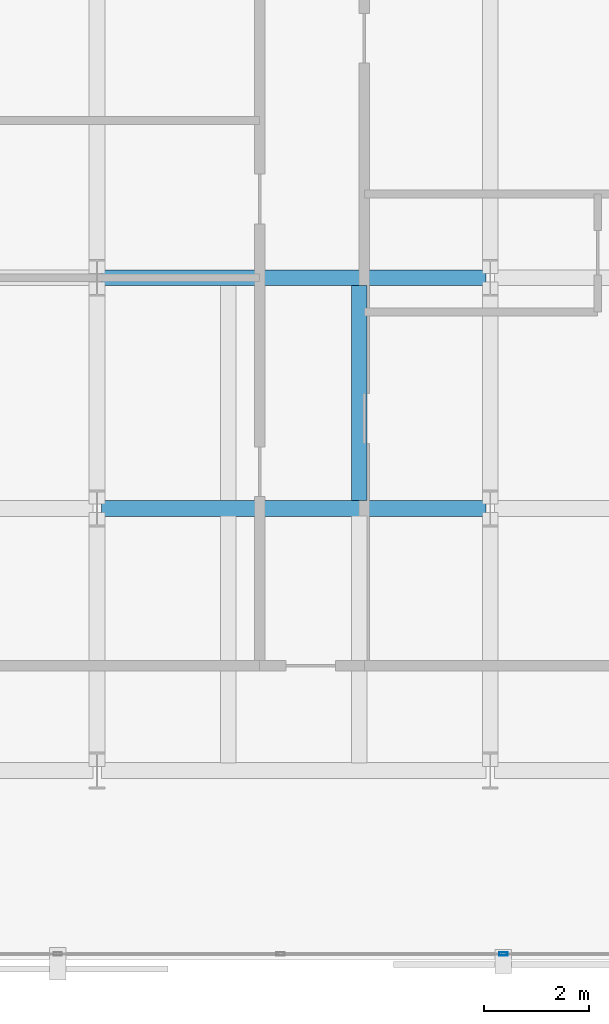
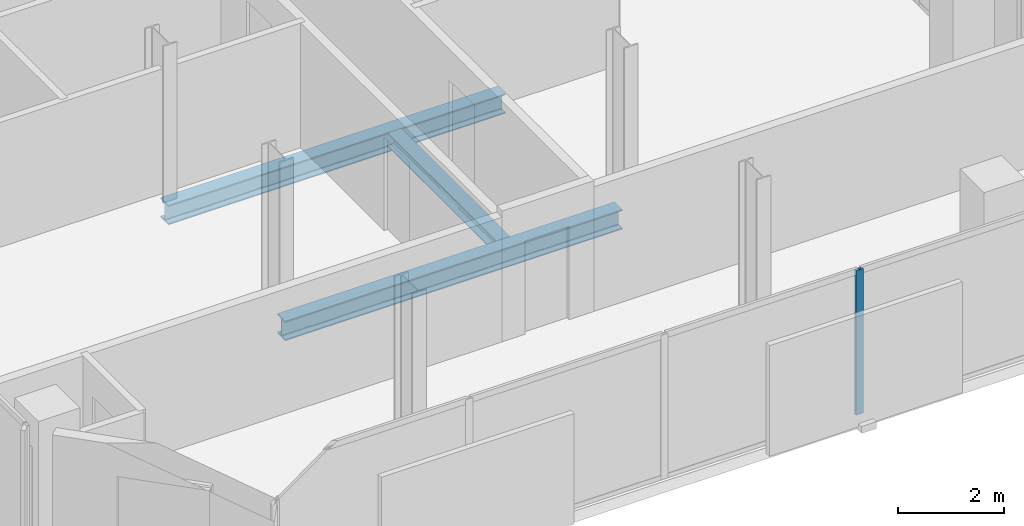
# One storey, part 6 of 34: 3 beams, 1 member, 1 element without a shape of its own.
"""IFC4 building model written with IfcOpenShell, lengths in metres."""

from ifc_helpers import new_model, si_unit, direction, frame, origin, origin_2d, place, context, subcontext, project, spatial, hollow_rectangle, i_section, extrude, material, layer, layer_set, material_profile, profile_set, type_object, element, aggregate, save


model = new_model("IFC4")

# Units and contexts
model_context = context("Model", 3, precision=1e-05, world=origin(), true_north=direction((0.0, 1.0)))
body_context = subcontext(model_context, "Body", "Model", "MODEL_VIEW")
ifc_project = project(units=[si_unit("LENGTHUNIT", "METRE"), si_unit("AREAUNIT", "SQUARE_METRE"), si_unit("VOLUMEUNIT", "CUBIC_METRE"), si_unit("PLANEANGLEUNIT", "RADIAN"), si_unit("MASSUNIT", "GRAM", prefix="KILO")], contexts=[model_context])

# Site, building, storey
site_placement = place(None, origin())
site = spatial("IfcSite", under=ifc_project, at=site_placement, CompositionType="ELEMENT")
building_placement = place(site_placement, origin())
building = spatial("IfcBuilding", under=site, at=building_placement, Name="Catumbela Crestline Tower", CompositionType="ELEMENT")
storey_placement = place(building_placement, frame((0.0, 0.0, 115.2)))
storey = spatial("IfcBuildingStorey", under=building, at=storey_placement, Name="L29", CompositionType="ELEMENT", Elevation=115.2)

# Beams
ifc_material_1 = material(Name="Structural steel S355J2", Category="steel")
ifc_material_profile_1 = material_profile(ifc_material_1, i_section(OverallWidth=0.3, OverallDepth=0.45, WebThickness=0.014, FlangeThickness=0.026, FilletRadius=0.027, at=origin_2d()), Name="HEB 450")
ifc_profile_set_1 = profile_set([ifc_material_profile_1], Name="Structural steel S355J2")
beam_type_1 = type_object("IfcBeamType", Name="BG-HEB450", PredefinedType="BEAM", material=ifc_profile_set_1)
for number, where, z_axis, x_axis, name in (
    (1, (8.58, 13.6, -0.485), (1.0, 0.0, 0.0), (0.0, 1.0, 0.0), "L29 Beam BM-L29-WEW47"),
    (2, (8.58, 18.0, -0.485), (1.0, 0.0, 0.0), (0.0, 1.0, 0.0), "L29 Beam BM-L29-WEW50"),
):
    element("IfcBeam", number, at=place(storey_placement, frame(where, z_axis=z_axis, x_axis=x_axis)), inside=storey, type_object=beam_type_1, Name=name, PredefinedType="BEAM", context=body_context, shape_type="SweptSolid", body=[
        extrude(i_section(OverallWidth=0.3, OverallDepth=0.45, WebThickness=0.014, FlangeThickness=0.026, FilletRadius=0.027, at=origin_2d()), origin(), (0.0, 0.0, 1.0), 7.34),
    ])
ifc_material_profile_2 = material_profile(ifc_material_1, i_section(OverallWidth=0.3, OverallDepth=0.31, WebThickness=0.009, FlangeThickness=0.0155, FilletRadius=0.027, at=origin_2d()), Name="HEA 320")
ifc_profile_set_2 = profile_set([ifc_material_profile_2], Name="Structural steel S355J2")
beam_type_2 = type_object("IfcBeamType", Name="BJ-HEA320", PredefinedType="JOIST", material=ifc_profile_set_2)
beam_placement = place(storey_placement, frame((13.5, 13.747, -0.415), z_axis=(0.0, 1.0, 0.0), x_axis=(-1.0, 0.0, 0.0)))
element("IfcBeam", 3, at=beam_placement, inside=storey, type_object=beam_type_2, Name="L29 Joist JS-L29-WG72", PredefinedType="JOIST", context=body_context, shape_type="SweptSolid", body=[
    extrude(i_section(OverallWidth=0.3, OverallDepth=0.31, WebThickness=0.009, FlangeThickness=0.0155, FilletRadius=0.027, at=origin_2d()), origin(), (0.0, 0.0, 1.0), 4.106),
])

# Curtain wall, member
ifc_material_2 = material(Name="Aluminium alloy AW-6060-T66", Category="aluminium")
ifc_layer = layer(ifc_material_2, 0.18, Name="Aluminium alloy AW-6060-T66")
ifc_layer_set = layer_set([ifc_layer], Name="Aluminium alloy AW-6060-T66")
curtain_wall_type = type_object("IfcCurtainWallType", Name="CWU-Z2", PredefinedType="USERDEFINED", material=ifc_layer_set)
curtain_wall_placement = place(storey_placement, origin())
curtain_wall = element("IfcCurtainWall", 4, at=curtain_wall_placement, inside=storey, type_object=curtain_wall_type, Name="L29 Unitised Curtain Wall CW-L29-E0S1", ObjectType="UNITISED", PredefinedType="USERDEFINED")
ifc_material_profile_3 = material_profile(ifc_material_2, hollow_rectangle(XDim=0.06, YDim=0.16, WallThickness=0.004, at=origin_2d()), Name="ALU 160x60x4")
ifc_profile_set_3 = profile_set([ifc_material_profile_3], Name="Aluminium alloy AW-6060-T66")
member_type = type_object("IfcMemberType", Name="MUL-160X60", PredefinedType="MULLION", material=ifc_profile_set_3)
member_placement = place(storey_placement, frame((16.25, 5.1, 0.0), z_axis=(0.0, 0.0, 1.0), x_axis=(0.0, 1.0, 0.0)))
member = element("IfcMember", 5, at=member_placement, type_object=member_type, Name="CWU-Z2 mullion 4", PredefinedType="MULLION", context=body_context, shape_type="SweptSolid", body=[
    extrude(hollow_rectangle(XDim=0.06, YDim=0.16, WallThickness=0.004, at=origin_2d()), origin(), (0.0, 0.0, 1.0), 3.33),
])
aggregate(curtain_wall, [member])

save(model, "model.ifc")
